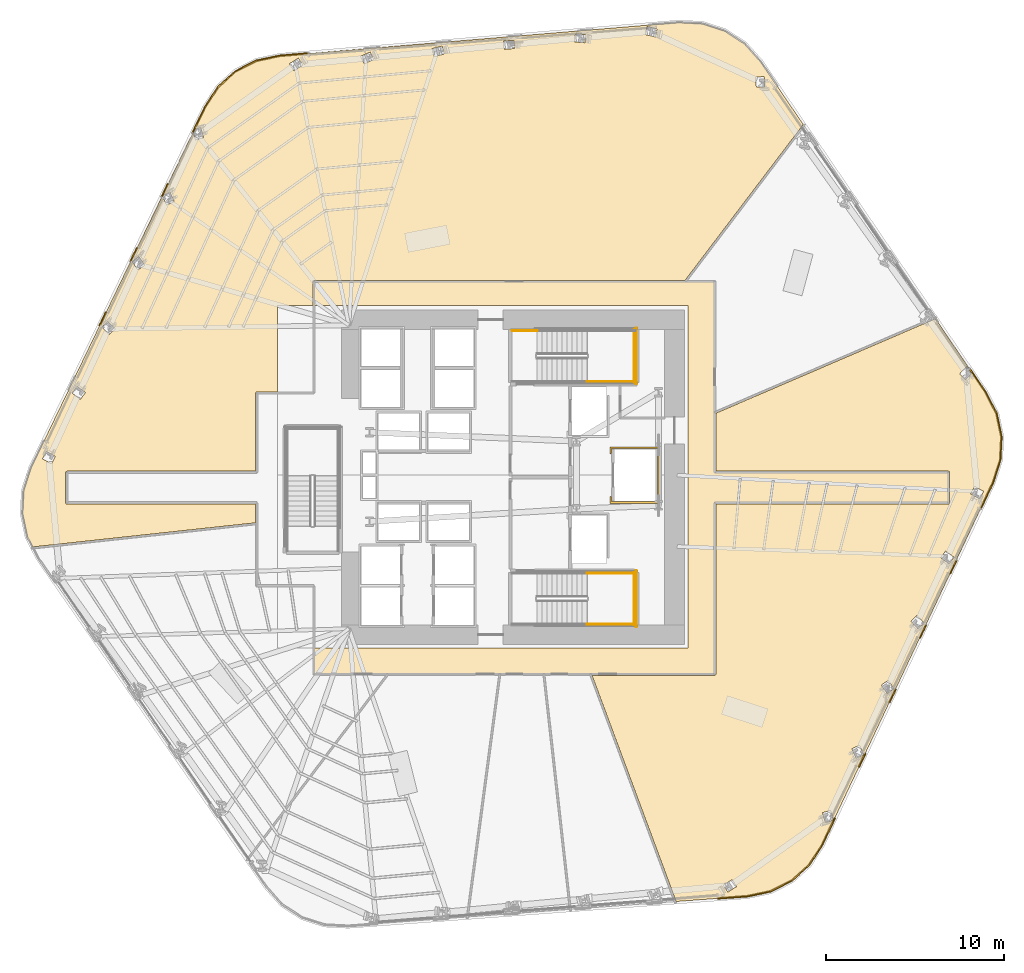
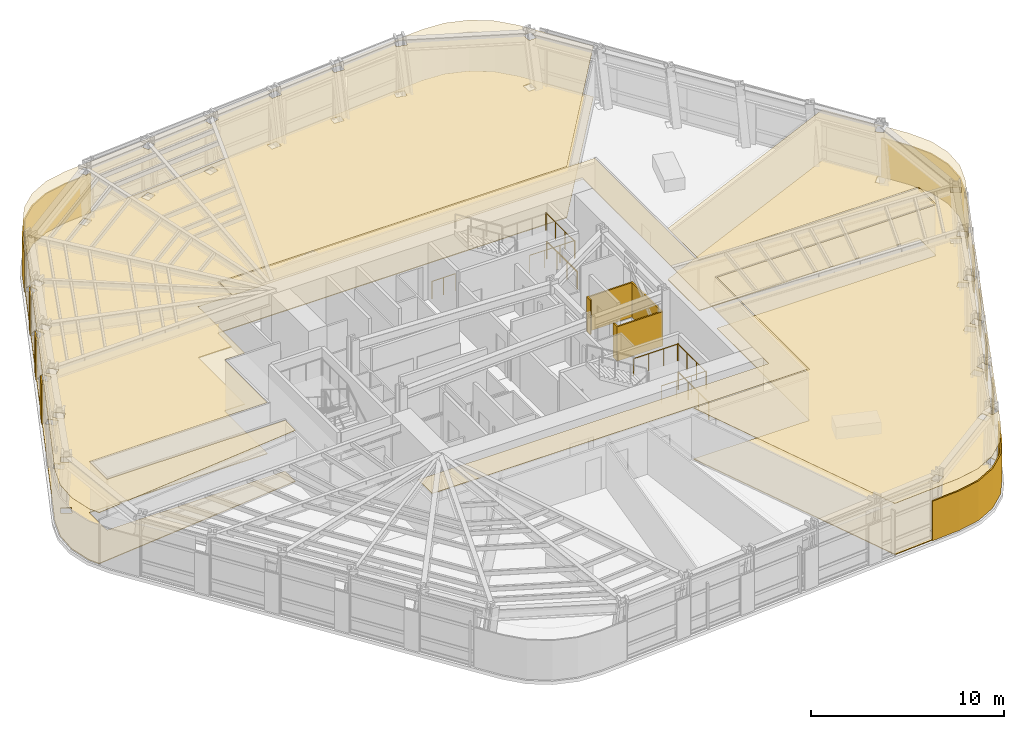
# One storey, part 13 of 15: 16 coverings, 8 railings.
"""IFC4 building model written with IfcOpenShell, lengths in metres."""

from ifc_helpers import new_model, si_unit, direction, frame, origin, origin_2d, place, context, subcontext, project, spatial, polyline, circle, outline, extrude, material, layer, layer_set, type_object, element, save


model = new_model("IFC4")

# Units and contexts
model_context = context("Model", 3, precision=1e-05, world=origin(), true_north=direction((0.0, 1.0)))
body_context = subcontext(model_context, "Body", "Model", "MODEL_VIEW")
ifc_project = project(units=[si_unit("LENGTHUNIT", "METRE"), si_unit("AREAUNIT", "SQUARE_METRE"), si_unit("VOLUMEUNIT", "CUBIC_METRE"), si_unit("PLANEANGLEUNIT", "RADIAN"), si_unit("MASSUNIT", "GRAM", prefix="KILO")], contexts=[model_context])

# Site, building, storey
site_placement = place(None, origin())
site = spatial("IfcSite", under=ifc_project, at=site_placement, CompositionType="ELEMENT")
building_placement = place(site_placement, origin())
building = spatial("IfcBuilding", under=site, at=building_placement, Name="Valkerne Bourse Tower", CompositionType="ELEMENT")
storey_placement = place(building_placement, frame((0.0, 0.0, 43.0)))
storey = spatial("IfcBuildingStorey", under=building, at=storey_placement, Name="L10", CompositionType="ELEMENT", Elevation=43.0)

# Coverings
ifc_material_1 = material(Name="Mineral Fiber Acoustic Ceiling Tile", Category="acoustic")
ifc_layer_1 = layer(ifc_material_1, 0.02490234375)
ifc_layer_set_1 = layer_set([ifc_layer_1], Name="Mineral Fiber Acoustic Ceiling Tile")
covering_type_1 = type_object("IfcCoveringType", Name="COV-CEIL-ACT", PredefinedType="CEILING", material=ifc_layer_set_1)
covering_1_placement = place(storey_placement, frame((0.0, 0.0, 3.22998046875)))
element("IfcCovering", 1, at=covering_1_placement, inside=storey, type_object=covering_type_1, Name="L10 Suspended Ceiling 08", PredefinedType="CEILING", context=body_context, shape_type="SweptSolid", body=[
    extrude(outline(polyline([(61.23828125, 3.68212890625), (59.938720703125, 3.406005859375), (55.938720703125, 3.109375), (51.226318359375, 15.781005859375), (58.1005859375, 15.781005859375), (58.130126953125, 15.787841796875), (58.156005859375, 15.809326171875), (58.1689453125, 15.849365234375), (58.1689453125, 25.381103515625), (71.200439453125, 25.381103515625), (71.22900390625, 25.38720703125), (71.251220703125, 25.403564453125), (71.26904296875, 25.44921875), (71.26904296875, 27.150634765625), (71.251708984375, 27.196044921875), (71.210205078125, 27.218505859375), (58.1689453125, 27.218994140625), (58.1689453125, 30.469970703125), (70.47265625, 35.7646484375), (72.4267578125, 32.89404296875), (72.21728515625, 33.0888671875), (71.822509765625, 32.669677734375), (71.823486328125, 32.666015625), (72.16064453125, 32.351806640625), (72.529296875, 32.743408203125), (73.287841796875, 31.62890625), (73.891357421875, 30.4443359375), (74.165771484375, 29.15380859375), (74.0966796875, 27.8359375), (73.685791015625, 26.57177734375), (64.118408203125, 6.278564453125), (63.394775390625, 5.164306640625), (62.4140625, 4.28125), (61.23828125, 3.68212890625)]), holes=[polyline([(58.835693359375, 3.6396484375), (59.322021484375, 3.944091796875), (59.076904296875, 4.33642578125), (59.073486328125, 4.334716796875), (58.58740234375, 4.0302734375), (58.83251953125, 3.637939453125), (58.835693359375, 3.6396484375)]), polyline([(64.751953125, 7.662109375), (64.754638671875, 7.664794921875), (64.586181640625, 8.2158203125), (64.14501953125, 8.0830078125), (64.142333984375, 8.08056640625), (64.310791015625, 7.529296875), (64.751953125, 7.662109375)]), polyline([(66.453857421875, 11.342041015625), (66.205322265625, 11.862060546875), (65.788818359375, 11.6650390625), (65.78662109375, 11.662109375), (66.03515625, 11.14208984375), (66.45166015625, 11.339111328125), (66.453857421875, 11.342041015625)]), polyline([(68.145263671875, 15.024169921875), (68.14697265625, 15.027099609375), (67.81787109375, 15.50048828125), (67.4384765625, 15.23876953125), (67.436767578125, 15.23583984375), (67.765869140625, 14.762451171875), (68.145263671875, 15.024169921875)]), polyline([(69.829833984375, 18.71337890625), (69.8310546875, 18.716796875), (69.428466796875, 19.129150390625), (69.097412109375, 18.80859375), (69.09619140625, 18.80517578125), (69.498779296875, 18.392822265625), (69.829833984375, 18.71337890625)]), polyline([(71.505126953125, 22.40576171875), (71.041259765625, 22.748046875), (70.76611328125, 22.37841796875), (70.765380859375, 22.375), (71.229248046875, 22.03271484375), (71.50439453125, 22.40234375), (71.505126953125, 22.40576171875)]), polyline([(73.170166015625, 26.08642578125), (73.17041015625, 26.090087890625), (72.660888671875, 26.359619140625), (72.44384765625, 25.953369140625), (72.443603515625, 25.949462890625), (72.953369140625, 25.68017578125), (73.170166015625, 26.08642578125)])]), origin(), (0.0, 0.0, 1.0), 0.02490234375),
])
covering_2_placement = place(storey_placement, frame((0.0, 0.0, 3.22998046875)))
element("IfcCovering", 2, at=covering_2_placement, inside=storey, type_object=covering_type_1, Name="L10 Suspended Ceiling 09", PredefinedType="CEILING", context=body_context, shape_type="SweptSolid", body=[
    extrude(outline(polyline([(19.386962890625, 26.15478515625), (19.797607421875, 27.418701171875), (27.1484375, 42.653076171875), (27.394775390625, 42.137939453125), (27.811279296875, 42.3349609375), (27.8134765625, 42.337890625), (27.564697265625, 42.85791015625), (27.1533203125, 42.6630859375), (28.876220703125, 46.23388671875), (29.013916015625, 45.7841796875), (29.454833984375, 45.9169921875), (29.457763671875, 45.91943359375), (29.2890625, 46.470703125), (28.939697265625, 46.365478515625), (29.54736328125, 47.62451171875), (30.271240234375, 48.739501953125), (31.251953125, 49.62255859375), (32.427734375, 50.2216796875), (33.72802734375, 50.498046875), (56.0859375, 52.35888671875), (57.412841796875, 52.289306640625), (58.66796875, 51.881591796875), (59.774658203125, 51.162841796875), (60.663818359375, 50.17529296875), (63.06494140625, 46.6474609375), (56.443603515625, 37.9189453125), (35.627197265625, 37.915283203125), (35.593994140625, 37.890869140625), (35.5810546875, 37.8505859375), (35.5810546875, 36.5), (33.60009765625, 36.5), (33.60009765625, 31.6689453125), (32.449462890625, 31.6689453125), (32.419921875, 31.662109375), (32.39404296875, 31.640625), (32.381103515625, 31.6005859375), (32.381103515625, 27.218994140625), (21.79931640625, 27.218994140625), (21.75830078125, 27.205322265625), (21.733154296875, 27.16748046875), (21.731201171875, 25.446533203125), (21.744873046875, 25.408203125), (21.782470703125, 25.383056640625), (32.381103515625, 25.381103515625), (32.381103515625, 24.3310546875), (19.8828125, 22.97607421875), (19.59228515625, 23.54638671875), (19.318115234375, 24.837158203125), (19.386962890625, 26.15478515625)]), holes=[polyline([(21.15625, 28.050537109375), (20.646728515625, 28.31982421875), (20.4296875, 27.91357421875), (20.4296875, 27.909912109375), (20.939208984375, 27.640380859375), (21.15625, 28.046630859375), (21.15625, 28.050537109375)]), polyline([(22.833740234375, 31.62158203125), (22.83447265625, 31.625), (22.37060546875, 31.96728515625), (22.095703125, 31.59765625), (22.094970703125, 31.59423828125), (22.55859375, 31.251953125), (22.833740234375, 31.62158203125)]), polyline([(24.50390625, 35.19482421875), (24.10107421875, 35.607177734375), (23.77001953125, 35.28662109375), (23.768798828125, 35.283203125), (24.171630859375, 34.870849609375), (24.502685546875, 35.19140625), (24.50390625, 35.19482421875)]), polyline([(26.16162109375, 38.76123046875), (26.1630859375, 38.76416015625), (25.833984375, 39.237548828125), (25.45458984375, 38.975830078125), (25.452880859375, 38.972900390625), (25.781982421875, 38.49951171875), (26.16162109375, 38.76123046875)]), polyline([(34.5263671875, 49.665283203125), (35.0126953125, 49.9697265625), (34.767578125, 50.362060546875), (34.76416015625, 50.3603515625), (34.27783203125, 50.055908203125), (34.523193359375, 49.66357421875), (34.5263671875, 49.665283203125)]), polyline([(38.454833984375, 50.0537109375), (38.981201171875, 50.282470703125), (38.79736328125, 50.70703125), (38.7939453125, 50.705810546875), (38.267578125, 50.477294921875), (38.451416015625, 50.052734375), (38.454833984375, 50.0537109375)]), polyline([(42.383544921875, 50.4521484375), (42.940185546875, 50.593505859375), (42.82666015625, 51.0419921875), (42.8232421875, 51.041259765625), (42.2666015625, 50.900146484375), (42.380126953125, 50.45166015625), (42.383544921875, 50.4521484375)]), polyline([(46.88916015625, 50.90673828125), (46.8515625, 51.367919921875), (46.847900390625, 51.367919921875), (46.275634765625, 51.32080078125), (46.3134765625, 50.859619140625), (46.31689453125, 50.859619140625), (46.88916015625, 50.90673828125)]), polyline([(50.867919921875, 51.6884765625), (50.8642578125, 51.68896484375), (50.2919921875, 51.734375), (50.255126953125, 51.273193359375), (50.2587890625, 51.2724609375), (50.8310546875, 51.227294921875), (50.867919921875, 51.6884765625)]), polyline([(54.874267578125, 52.00732421875), (54.87060546875, 52.008544921875), (54.31201171875, 52.138671875), (54.206787109375, 51.68798828125), (54.210205078125, 51.68701171875), (54.76904296875, 51.556884765625), (54.874267578125, 52.00732421875)]), polyline([(60.8935546875, 48.752685546875), (60.874755859375, 49.328125), (60.87158203125, 49.330322265625), (60.4111328125, 49.312744140625), (60.429931640625, 48.737060546875), (60.43310546875, 48.735107421875), (60.8935546875, 48.752685546875)])]), origin(), (0.0, 0.0, 1.0), 0.02490234375),
])
ifc_material_2 = material(Name="Bronze Anodised Aluminium AA 6063-T6", Category="aluminium")
ifc_layer_2 = layer(ifc_material_2, 0.030029296875)
ifc_layer_set_2 = layer_set([ifc_layer_2], Name="Bronze Anodised Aluminium AA 6063-T6")
covering_type_2 = type_object("IfcCoveringType", Name="COV-CEIL-METAL", PredefinedType="CEILING", material=ifc_layer_set_2)
covering_3_placement = place(storey_placement, frame((0.0, 0.0, 3.22998046875)))
element("IfcCovering", 3, at=covering_3_placement, inside=storey, type_object=covering_type_2, Name="L10 Suspended Ceiling 01", PredefinedType="CEILING", context=body_context, shape_type="SweptSolid", body=[
    extrude(outline(polyline([(71.196044921875, 27.14599609375), (71.196044921875, 25.4541015625), (58.095947265625, 25.4541015625), (58.095947265625, 15.85400390625), (35.654052734375, 15.85400390625), (35.654052734375, 17.300048828125), (56.60009765625, 17.300048828125), (56.60009765625, 36.5), (35.654052734375, 36.5), (35.654052734375, 37.845947265625), (58.095947265625, 37.845947265625), (58.095947265625, 27.14599609375), (71.196044921875, 27.14599609375)])), origin(), (0.0, 0.0, 1.0), 0.02490234375),
])
ifc_layer_3 = layer(ifc_material_2, 0.06005859375)
ifc_layer_set_3 = layer_set([ifc_layer_3], Name="Bronze Anodised Aluminium AA 6063-T6")
covering_type_3 = type_object("IfcCoveringType", Name="COV-CRN-ALUM", PredefinedType="CLADDING", material=ifc_layer_set_3)
covering_4_placement = place(storey_placement, origin())
element("IfcCovering", 4, at=covering_4_placement, inside=storey, type_object=covering_type_3, Name="L10 Wind-Shaped Corner Aluminium Cladding 01", PredefinedType="CLADDING", context=body_context, shape_type="SweptSolid", body=[
    extrude(outline(polyline([(63.428466796875, 5.135498046875), (62.439208984375, 4.24462890625), (61.253173828125, 3.640380859375), (59.94482421875, 3.3623046875), (58.269775390625, 3.238037109375), (58.263427734375, 3.31787109375), (59.93359375, 3.441650390625), (61.226318359375, 3.71630859375), (62.3935546875, 4.311279296875), (63.3671875, 5.187744140625), (64.0869140625, 6.296142578125), (64.801025390625, 7.81103515625), (64.873291015625, 7.776611328125), (64.156982421875, 6.257080078125), (63.428466796875, 5.135498046875)])), origin(), (0.0, 0.0, 1.0), 2.5),
])
covering_5_placement = place(storey_placement, origin())
element("IfcCovering", 5, at=covering_5_placement, inside=storey, type_object=covering_type_3, Name="L10 Wind-Shaped Corner Aluminium Cladding 13", PredefinedType="CLADDING", context=body_context, shape_type="SweptSolid", body=[
    extrude(outline(polyline([(23.959716796875, 36.14599609375), (24.031982421875, 36.111572265625), (23.6669921875, 35.35498046875), (23.5947265625, 35.389404296875), (23.959716796875, 36.14599609375)])), origin(), (0.0, 0.0, 1.0), 2.5),
])
covering_6_placement = place(storey_placement, origin())
element("IfcCovering", 6, at=covering_6_placement, inside=storey, type_object=covering_type_3, Name="L10 Wind-Shaped Corner Aluminium Cladding 14", PredefinedType="CLADDING", context=body_context, shape_type="SweptSolid", body=[
    extrude(outline(polyline([(25.6962890625, 39.744873046875), (25.7685546875, 39.71044921875), (25.403564453125, 38.953857421875), (25.331298828125, 38.98828125), (25.6962890625, 39.744873046875)])), origin(), (0.0, 0.0, 1.0), 2.5),
])
covering_7_placement = place(storey_placement, origin())
element("IfcCovering", 7, at=covering_7_placement, inside=storey, type_object=covering_type_3, Name="L10 Wind-Shaped Corner Aluminium Cladding 15", PredefinedType="CLADDING", context=body_context, shape_type="SweptSolid", body=[
    extrude(outline(polyline([(27.43310546875, 43.343994140625), (27.505126953125, 43.309326171875), (27.14013671875, 42.552978515625), (27.06787109375, 42.58740234375), (27.43310546875, 43.343994140625)])), origin(), (0.0, 0.0, 1.0), 2.5),
])
covering_8_placement = place(storey_placement, origin())
element("IfcCovering", 8, at=covering_8_placement, inside=storey, type_object=covering_type_3, Name="L10 Wind-Shaped Corner Aluminium Cladding 16", PredefinedType="CLADDING", context=body_context, shape_type="SweptSolid", body=[
    extrude(outline(polyline([(29.5087890625, 47.646240234375), (30.237548828125, 48.768310546875), (31.226806640625, 49.6591796875), (32.412841796875, 50.263427734375), (33.7216796875, 50.54150390625), (35.337158203125, 50.676025390625), (35.343505859375, 50.59619140625), (33.7333984375, 50.46240234375), (32.439697265625, 50.1875), (31.2724609375, 49.592529296875), (30.299072265625, 48.716064453125), (29.578857421875, 47.60693359375), (28.876708984375, 46.15185546875), (28.804443359375, 46.186279296875), (29.5087890625, 47.646240234375)])), origin(), (0.0, 0.0, 1.0), 2.5),
])
covering_9_placement = place(storey_placement, origin())
element("IfcCovering", 9, at=covering_9_placement, inside=storey, type_object=covering_type_3, Name="L10 Wind-Shaped Corner Aluminium Cladding 26", PredefinedType="CLADDING", context=body_context, shape_type="SweptSolid", body=[
    extrude(outline(polyline([(73.32568359375, 31.6513671875), (73.93310546875, 30.459228515625), (74.2099609375, 29.1572265625), (74.14013671875, 27.827880859375), (73.726806640625, 26.555419921875), (73.035400390625, 25.089111328125), (72.96337890625, 25.12353515625), (73.65234375, 26.5849609375), (74.060791015625, 27.842529296875), (74.12939453125, 29.15087890625), (73.857177734375, 30.432373046875), (73.2568359375, 31.610595703125), (72.34765625, 32.946044921875), (72.41357421875, 32.991455078125), (73.32568359375, 31.6513671875)])), origin(), (0.0, 0.0, 1.0), 2.5),
])
covering_10_placement = place(storey_placement, origin())
element("IfcCovering", 10, at=covering_10_placement, inside=storey, type_object=covering_type_3, Name="L10 Wind-Shaped Corner Aluminium Cladding 27", PredefinedType="CLADDING", context=body_context, shape_type="SweptSolid", body=[
    extrude(outline(polyline([(71.33154296875, 21.474609375), (71.25927734375, 21.509033203125), (71.617431640625, 22.268798828125), (71.689697265625, 22.234619140625), (71.33154296875, 21.474609375)])), origin(), (0.0, 0.0, 1.0), 2.5),
])
covering_11_placement = place(storey_placement, origin())
element("IfcCovering", 11, at=covering_11_placement, inside=storey, type_object=covering_type_3, Name="L10 Wind-Shaped Corner Aluminium Cladding 28", PredefinedType="CLADDING", context=body_context, shape_type="SweptSolid", body=[
    extrude(outline(polyline([(69.627197265625, 17.860107421875), (69.55517578125, 17.89453125), (69.913330078125, 18.654296875), (69.985595703125, 18.6201171875), (69.627197265625, 17.860107421875)])), origin(), (0.0, 0.0, 1.0), 2.5),
])
covering_12_placement = place(storey_placement, origin())
element("IfcCovering", 12, at=covering_12_placement, inside=storey, type_object=covering_type_3, Name="L10 Wind-Shaped Corner Aluminium Cladding 29", PredefinedType="CLADDING", context=body_context, shape_type="SweptSolid", body=[
    extrude(outline(polyline([(67.92333984375, 14.24560546875), (67.85107421875, 14.2802734375), (68.209228515625, 15.0400390625), (68.281494140625, 15.005615234375), (67.92333984375, 14.24560546875)])), origin(), (0.0, 0.0, 1.0), 2.5),
])
covering_13_placement = place(storey_placement, origin())
element("IfcCovering", 13, at=covering_13_placement, inside=storey, type_object=covering_type_3, Name="L10 Wind-Shaped Corner Aluminium Cladding 30", PredefinedType="CLADDING", context=body_context, shape_type="SweptSolid", body=[
    extrude(outline(polyline([(66.21923828125, 10.63134765625), (66.14697265625, 10.665771484375), (66.505126953125, 11.425537109375), (66.577392578125, 11.39111328125), (66.21923828125, 10.63134765625)])), origin(), (0.0, 0.0, 1.0), 2.5),
])
ifc_material_3 = material(Name="Galvanised Painted Steel", Category="steel")
ifc_layer_4 = layer(ifc_material_3, 0.044921875)
ifc_layer_set_4 = layer_set([ifc_layer_4], Name="Galvanised Painted Steel")
covering_type_4 = type_object("IfcCoveringType", Name="COV-FLR-RAF", PredefinedType="FLOORING", material=ifc_layer_set_4)
covering_14_placement = place(storey_placement, origin())
element("IfcCovering", 14, at=covering_14_placement, inside=storey, type_object=covering_type_4, Name="L10 Floor Finish 08", PredefinedType="FLOORING", context=body_context, shape_type="SweptSolid", body=[
    extrude(outline(polyline([(61.23828125, 3.68212890625), (59.938720703125, 3.406005859375), (55.938720703125, 3.109375), (51.226318359375, 15.781005859375), (58.1005859375, 15.781005859375), (58.130126953125, 15.787841796875), (58.156005859375, 15.809326171875), (58.1689453125, 15.849365234375), (58.1689453125, 25.381103515625), (71.200439453125, 25.381103515625), (71.22900390625, 25.38720703125), (71.251220703125, 25.403564453125), (71.26904296875, 25.44921875), (71.26904296875, 27.150634765625), (71.251708984375, 27.196044921875), (71.210205078125, 27.218505859375), (58.1689453125, 27.218994140625), (58.1689453125, 30.469970703125), (70.47265625, 35.7646484375), (72.4267578125, 32.89404296875), (72.21728515625, 33.0888671875), (71.822509765625, 32.669677734375), (71.823486328125, 32.666015625), (72.16064453125, 32.351806640625), (72.529296875, 32.743408203125), (73.287841796875, 31.62890625), (73.891357421875, 30.4443359375), (74.165771484375, 29.15380859375), (74.0966796875, 27.8359375), (73.685791015625, 26.57177734375), (64.118408203125, 6.278564453125), (63.394775390625, 5.164306640625), (62.4140625, 4.28125), (61.23828125, 3.68212890625)]), holes=[polyline([(58.835693359375, 3.6396484375), (59.322021484375, 3.944091796875), (59.076904296875, 4.33642578125), (59.073486328125, 4.334716796875), (58.58740234375, 4.0302734375), (58.83251953125, 3.637939453125), (58.835693359375, 3.6396484375)]), polyline([(64.751953125, 7.662109375), (64.754638671875, 7.664794921875), (64.586181640625, 8.2158203125), (64.14501953125, 8.0830078125), (64.142333984375, 8.08056640625), (64.310791015625, 7.529296875), (64.751953125, 7.662109375)]), polyline([(66.453857421875, 11.342041015625), (66.205322265625, 11.862060546875), (65.788818359375, 11.6650390625), (65.78662109375, 11.662109375), (66.03515625, 11.14208984375), (66.45166015625, 11.339111328125), (66.453857421875, 11.342041015625)]), polyline([(68.145263671875, 15.024169921875), (68.14697265625, 15.027099609375), (67.81787109375, 15.50048828125), (67.4384765625, 15.23876953125), (67.436767578125, 15.23583984375), (67.765869140625, 14.762451171875), (68.145263671875, 15.024169921875)]), polyline([(69.829833984375, 18.71337890625), (69.8310546875, 18.716796875), (69.428466796875, 19.129150390625), (69.097412109375, 18.80859375), (69.09619140625, 18.80517578125), (69.498779296875, 18.392822265625), (69.829833984375, 18.71337890625)]), polyline([(71.505126953125, 22.40576171875), (71.041259765625, 22.748046875), (70.76611328125, 22.37841796875), (70.765380859375, 22.375), (71.229248046875, 22.03271484375), (71.50439453125, 22.40234375), (71.505126953125, 22.40576171875)]), polyline([(73.170166015625, 26.08642578125), (73.17041015625, 26.090087890625), (72.660888671875, 26.359619140625), (72.44384765625, 25.953369140625), (72.443603515625, 25.949462890625), (72.953369140625, 25.68017578125), (73.170166015625, 26.08642578125)])]), origin(), (0.0, 0.0, 1.0), 0.044921875),
])
covering_15_placement = place(storey_placement, origin())
element("IfcCovering", 15, at=covering_15_placement, inside=storey, type_object=covering_type_4, Name="L10 Floor Finish 09", PredefinedType="FLOORING", context=body_context, shape_type="SweptSolid", body=[
    extrude(outline(polyline([(19.386962890625, 26.15478515625), (19.797607421875, 27.418701171875), (27.1484375, 42.653076171875), (27.394775390625, 42.137939453125), (27.811279296875, 42.3349609375), (27.8134765625, 42.337890625), (27.564697265625, 42.85791015625), (27.1533203125, 42.6630859375), (28.876220703125, 46.23388671875), (29.013916015625, 45.7841796875), (29.454833984375, 45.9169921875), (29.457763671875, 45.91943359375), (29.2890625, 46.470703125), (28.939697265625, 46.365478515625), (29.54736328125, 47.62451171875), (30.271240234375, 48.739501953125), (31.251953125, 49.62255859375), (32.427734375, 50.2216796875), (33.72802734375, 50.498046875), (56.0859375, 52.35888671875), (57.412841796875, 52.289306640625), (58.66796875, 51.881591796875), (59.774658203125, 51.162841796875), (60.663818359375, 50.17529296875), (63.06494140625, 46.6474609375), (56.443603515625, 37.9189453125), (35.627197265625, 37.915283203125), (35.593994140625, 37.890869140625), (35.5810546875, 37.8505859375), (35.5810546875, 36.5), (33.60009765625, 36.5), (33.60009765625, 31.6689453125), (32.449462890625, 31.6689453125), (32.419921875, 31.662109375), (32.39404296875, 31.640625), (32.381103515625, 31.6005859375), (32.381103515625, 27.218994140625), (21.79931640625, 27.218994140625), (21.75830078125, 27.205322265625), (21.733154296875, 27.16748046875), (21.731201171875, 25.446533203125), (21.744873046875, 25.408203125), (21.782470703125, 25.383056640625), (32.381103515625, 25.381103515625), (32.381103515625, 24.3310546875), (19.8828125, 22.97607421875), (19.59228515625, 23.54638671875), (19.318115234375, 24.837158203125), (19.386962890625, 26.15478515625)]), holes=[polyline([(21.15625, 28.050537109375), (20.646728515625, 28.31982421875), (20.4296875, 27.91357421875), (20.4296875, 27.909912109375), (20.939208984375, 27.640380859375), (21.15625, 28.046630859375), (21.15625, 28.050537109375)]), polyline([(22.833740234375, 31.62158203125), (22.83447265625, 31.625), (22.37060546875, 31.96728515625), (22.095703125, 31.59765625), (22.094970703125, 31.59423828125), (22.55859375, 31.251953125), (22.833740234375, 31.62158203125)]), polyline([(24.50390625, 35.19482421875), (24.10107421875, 35.607177734375), (23.77001953125, 35.28662109375), (23.768798828125, 35.283203125), (24.171630859375, 34.870849609375), (24.502685546875, 35.19140625), (24.50390625, 35.19482421875)]), polyline([(26.16162109375, 38.76123046875), (26.1630859375, 38.76416015625), (25.833984375, 39.237548828125), (25.45458984375, 38.975830078125), (25.452880859375, 38.972900390625), (25.781982421875, 38.49951171875), (26.16162109375, 38.76123046875)]), polyline([(34.5263671875, 49.665283203125), (35.0126953125, 49.9697265625), (34.767578125, 50.362060546875), (34.76416015625, 50.3603515625), (34.27783203125, 50.055908203125), (34.523193359375, 49.66357421875), (34.5263671875, 49.665283203125)]), polyline([(38.454833984375, 50.0537109375), (38.981201171875, 50.282470703125), (38.79736328125, 50.70703125), (38.7939453125, 50.705810546875), (38.267578125, 50.477294921875), (38.451416015625, 50.052734375), (38.454833984375, 50.0537109375)]), polyline([(42.383544921875, 50.4521484375), (42.940185546875, 50.593505859375), (42.82666015625, 51.0419921875), (42.8232421875, 51.041259765625), (42.2666015625, 50.900146484375), (42.380126953125, 50.45166015625), (42.383544921875, 50.4521484375)]), polyline([(46.88916015625, 50.90673828125), (46.8515625, 51.367919921875), (46.847900390625, 51.367919921875), (46.275634765625, 51.32080078125), (46.3134765625, 50.859619140625), (46.31689453125, 50.859619140625), (46.88916015625, 50.90673828125)]), polyline([(50.867919921875, 51.6884765625), (50.8642578125, 51.68896484375), (50.2919921875, 51.734375), (50.255126953125, 51.273193359375), (50.2587890625, 51.2724609375), (50.8310546875, 51.227294921875), (50.867919921875, 51.6884765625)]), polyline([(54.874267578125, 52.00732421875), (54.87060546875, 52.008544921875), (54.31201171875, 52.138671875), (54.206787109375, 51.68798828125), (54.210205078125, 51.68701171875), (54.76904296875, 51.556884765625), (54.874267578125, 52.00732421875)]), polyline([(60.8935546875, 48.752685546875), (60.874755859375, 49.328125), (60.87158203125, 49.330322265625), (60.4111328125, 49.312744140625), (60.429931640625, 48.737060546875), (60.43310546875, 48.735107421875), (60.8935546875, 48.752685546875)])]), origin(), (0.0, 0.0, 1.0), 0.044921875),
])
ifc_material_4 = material(Name="Gypsum Shaftwall Liner Board", Category="gypsum")
ifc_layer_5 = layer(ifc_material_4, 0.080078125)
ifc_layer_set_5 = layer_set([ifc_layer_5], Name="Gypsum Shaftwall Liner Board")
covering_type_5 = type_object("IfcCoveringType", Name="COV-SHF-CLAD", PredefinedType="CLADDING", material=ifc_layer_set_5)
covering_16_placement = place(storey_placement, origin())
element("IfcCovering", 16, at=covering_16_placement, inside=storey, type_object=covering_type_5, Name="L10 Hoistway & Riser Shaftwall Liner 08", PredefinedType="CLADDING", context=body_context, shape_type="SweptSolid", body=[
    extrude(outline(polyline([(54.97998046875, 25.419921875), (52.219970703125, 25.419921875), (52.219970703125, 25.81787109375), (52.227783203125, 25.814208984375), (52.269287109375, 25.79931640625), (52.31005859375, 25.789306640625), (52.31005859375, 25.510009765625), (54.889892578125, 25.510009765625), (54.889892578125, 28.489990234375), (52.31005859375, 28.489990234375), (52.31005859375, 28.210693359375), (52.269287109375, 28.20068359375), (52.227783203125, 28.185791015625), (52.219970703125, 28.18212890625), (52.219970703125, 28.580078125), (54.97998046875, 28.580078125), (54.97998046875, 25.419921875)])), origin(), (0.0, 0.0, 1.0), 2.179931640625),
])

# Railings
railing_type = type_object("IfcRailingType", Name="RLG-ST-GUARD-1120", PredefinedType="GUARDRAIL", material=ifc_material_3)
for number, where, name in (
    (17, (50.949951171875, 18.64990234375, 1.89990234375), "L10 ST-1 stair guard 3"),
    (18, (50.949951171875, 21.5, 1.89990234375), "L10 ST-1 stair guard 4"),
):
    element("IfcRailing", number, at=place(storey_placement, frame(where)), inside=storey, type_object=railing_type, Name=name, PredefinedType="GUARDRAIL", context=body_context, shape_type="SweptSolid", body=[
        extrude(circle(Radius=0.02392578125, at=origin_2d()), frame((0.0, 0.0, 1.09619140625), z_axis=(1.0, 0.0, 0.0), x_axis=(0.0, 1.0, 0.0)), (0.0, 0.0, 1.0), 2.699951171875),
        extrude(circle(Radius=0.02099609375, at=origin_2d()), origin(), (0.0, 0.0, 1.0), 1.072021484375),
        extrude(circle(Radius=0.02099609375, at=origin_2d()), frame((0.89990234375, 0.0, 0.0)), (0.0, 0.0, 1.0), 1.072021484375),
        extrude(circle(Radius=0.02099609375, at=origin_2d()), frame((1.800048828125, 0.0, 0.0)), (0.0, 0.0, 1.0), 1.072021484375),
        extrude(circle(Radius=0.02099609375, at=origin_2d()), frame((2.699951171875, 0.0, 0.0)), (0.0, 0.0, 1.0), 1.072021484375),
    ])
railing_1_placement = place(storey_placement, frame((53.60009765625, 18.60009765625, 1.89990234375)))
element("IfcRailing", 19, at=railing_1_placement, inside=storey, type_object=railing_type, Name="L10 ST-1 stair guard 5", PredefinedType="GUARDRAIL", context=body_context, shape_type="SweptSolid", body=[
    extrude(circle(Radius=0.02392578125, at=origin_2d()), frame((0.0, 0.0, 1.09619140625), z_axis=(0.0, 1.0, 0.0), x_axis=(-1.0, 0.0, 0.0)), (0.0, 0.0, 1.0), 2.949951171875),
    extrude(circle(Radius=0.02099609375, at=origin_2d()), origin(), (0.0, 0.0, 1.0), 1.072021484375),
    extrude(circle(Radius=0.02099609375, at=origin_2d()), frame((0.0, 0.9833984375, 0.0)), (0.0, 0.0, 1.0), 1.072021484375),
    extrude(circle(Radius=0.02099609375, at=origin_2d()), frame((0.0, 1.966552734375, 0.0)), (0.0, 0.0, 1.0), 1.072021484375),
    extrude(circle(Radius=0.02099609375, at=origin_2d()), frame((0.0, 2.949951171875, 0.0)), (0.0, 0.0, 1.0), 1.072021484375),
])
railing_2_placement = place(storey_placement, frame((53.699951171875, 18.5, 0.0)))
element("IfcRailing", 20, at=railing_2_placement, inside=storey, type_object=railing_type, Name="L10 ST-1 stair guard 12", PredefinedType="GUARDRAIL", context=body_context, shape_type="SweptSolid", body=[
    extrude(circle(Radius=0.02392578125, at=origin_2d()), frame((0.0, 0.0, 1.09619140625), z_axis=(0.0, 1.0, 0.0), x_axis=(-1.0, 0.0, 0.0)), (0.0, 0.0, 1.0), 3.14990234375),
    extrude(circle(Radius=0.02099609375, at=origin_2d()), origin(), (0.0, 0.0, 1.0), 1.072021484375),
    extrude(circle(Radius=0.02099609375, at=origin_2d()), frame((0.0, 1.050048828125, 0.0)), (0.0, 0.0, 1.0), 1.072021484375),
    extrude(circle(Radius=0.02099609375, at=origin_2d()), frame((0.0, 2.099853515625, 0.0)), (0.0, 0.0, 1.0), 1.072021484375),
    extrude(circle(Radius=0.02099609375, at=origin_2d()), frame((0.0, 3.14990234375, 0.0)), (0.0, 0.0, 1.0), 1.072021484375),
])
railing_3_placement = place(storey_placement, frame((50.949951171875, 32.25, 1.89990234375)))
element("IfcRailing", 21, at=railing_3_placement, inside=storey, type_object=railing_type, Name="L10 ST-2 stair guard 3", PredefinedType="GUARDRAIL", context=body_context, shape_type="SweptSolid", body=[
    extrude(circle(Radius=0.02392578125, at=origin_2d()), frame((0.0, 0.0, 1.09619140625), z_axis=(1.0, 0.0, 0.0), x_axis=(0.0, 1.0, 0.0)), (0.0, 0.0, 1.0), 2.699951171875),
    extrude(circle(Radius=0.02099609375, at=origin_2d()), origin(), (0.0, 0.0, 1.0), 1.072021484375),
    extrude(circle(Radius=0.02099609375, at=origin_2d()), frame((0.89990234375, 0.0, 0.0)), (0.0, 0.0, 1.0), 1.072021484375),
    extrude(circle(Radius=0.02099609375, at=origin_2d()), frame((1.800048828125, 0.0, 0.0)), (0.0, 0.0, 1.0), 1.072021484375),
    extrude(circle(Radius=0.02099609375, at=origin_2d()), frame((2.699951171875, 0.0, 0.0)), (0.0, 0.0, 1.0), 1.072021484375),
])
railing_4_placement = place(storey_placement, frame((53.60009765625, 32.199951171875, 1.89990234375)))
element("IfcRailing", 22, at=railing_4_placement, inside=storey, type_object=railing_type, Name="L10 ST-2 stair guard 5", PredefinedType="GUARDRAIL", context=body_context, shape_type="SweptSolid", body=[
    extrude(circle(Radius=0.02392578125, at=origin_2d()), frame((0.0, 0.0, 1.09619140625), z_axis=(0.0, 1.0, 0.0), x_axis=(-1.0, 0.0, 0.0)), (0.0, 0.0, 1.0), 2.949951171875),
    extrude(circle(Radius=0.02099609375, at=origin_2d()), origin(), (0.0, 0.0, 1.0), 1.072021484375),
    extrude(circle(Radius=0.02099609375, at=origin_2d()), frame((0.0, 0.9833984375, 0.0)), (0.0, 0.0, 1.0), 1.072021484375),
    extrude(circle(Radius=0.02099609375, at=origin_2d()), frame((0.0, 1.966552734375, 0.0)), (0.0, 0.0, 1.0), 1.072021484375),
    extrude(circle(Radius=0.02099609375, at=origin_2d()), frame((0.0, 2.949951171875, 0.0)), (0.0, 0.0, 1.0), 1.072021484375),
])
railing_5_placement = place(storey_placement, frame((46.75, 35.10009765625, 0.0)))
element("IfcRailing", 23, at=railing_5_placement, inside=storey, type_object=railing_type, Name="L10 ST-2 stair guard 9", PredefinedType="GUARDRAIL", context=body_context, shape_type="SweptSolid", body=[
    extrude(circle(Radius=0.02392578125, at=origin_2d()), frame((0.0, 0.0, 1.09619140625), z_axis=(1.0, 0.0, 0.0), x_axis=(0.0, 1.0, 0.0)), (0.0, 0.0, 1.0), 1.39990234375),
    extrude(circle(Radius=0.02099609375, at=origin_2d()), origin(), (0.0, 0.0, 1.0), 1.072021484375),
    extrude(circle(Radius=0.02099609375, at=origin_2d()), frame((0.699951171875, 0.0, 0.0)), (0.0, 0.0, 1.0), 1.072021484375),
    extrude(circle(Radius=0.02099609375, at=origin_2d()), frame((1.39990234375, 0.0, 0.0)), (0.0, 0.0, 1.0), 1.072021484375),
])
railing_6_placement = place(storey_placement, frame((53.699951171875, 32.10009765625, 0.0)))
element("IfcRailing", 24, at=railing_6_placement, inside=storey, type_object=railing_type, Name="L10 ST-2 stair guard 12", PredefinedType="GUARDRAIL", context=body_context, shape_type="SweptSolid", body=[
    extrude(circle(Radius=0.02392578125, at=origin_2d()), frame((0.0, 0.0, 1.09619140625), z_axis=(0.0, 1.0, 0.0), x_axis=(-1.0, 0.0, 0.0)), (0.0, 0.0, 1.0), 3.14990234375),
    extrude(circle(Radius=0.02099609375, at=origin_2d()), origin(), (0.0, 0.0, 1.0), 1.072021484375),
    extrude(circle(Radius=0.02099609375, at=origin_2d()), frame((0.0, 1.050048828125, 0.0)), (0.0, 0.0, 1.0), 1.072021484375),
    extrude(circle(Radius=0.02099609375, at=origin_2d()), frame((0.0, 2.099853515625, 0.0)), (0.0, 0.0, 1.0), 1.072021484375),
    extrude(circle(Radius=0.02099609375, at=origin_2d()), frame((0.0, 3.14990234375, 0.0)), (0.0, 0.0, 1.0), 1.072021484375),
])

save(model, "model.ifc")
